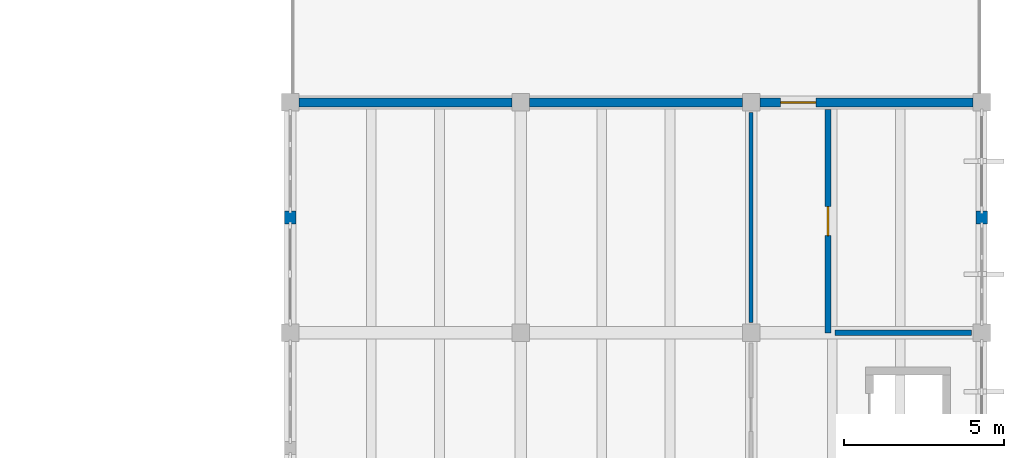
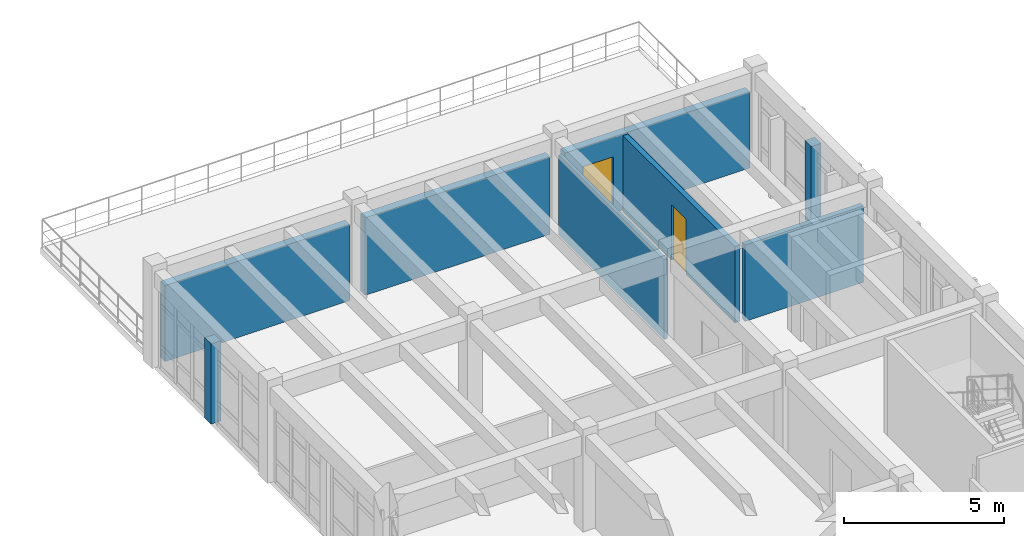
# One storey, part 17 of 22: 8 walls, 2 doors, 2 openings.
"""IFC4 building model written with IfcOpenShell, lengths in metres."""

from ifc_helpers import new_model, si_unit, direction, frame, frame_2d, origin, place, context, subcontext, project, spatial, rectangle, extrude, material, layer, layer_set, type_object, element, fill, save


model = new_model("IFC4")

# Units and contexts
model_context = context("Model", 3, precision=1e-05, world=origin(), true_north=direction((0.0, 1.0)))
body_context = subcontext(model_context, "Body", "Model", "MODEL_VIEW")
ifc_project = project(units=[si_unit("LENGTHUNIT", "METRE"), si_unit("AREAUNIT", "SQUARE_METRE"), si_unit("VOLUMEUNIT", "CUBIC_METRE"), si_unit("PLANEANGLEUNIT", "RADIAN"), si_unit("MASSUNIT", "GRAM", prefix="KILO")], contexts=[model_context])

# Site, building, storey
site_placement = place(None, origin())
site = spatial("IfcSite", under=ifc_project, at=site_placement, CompositionType="ELEMENT")
building_placement = place(site_placement, origin())
building = spatial("IfcBuilding", under=site, at=building_placement, Name="Koriwan Promenade Central Fire Station", CompositionType="ELEMENT")
storey_placement = place(building_placement, frame((0.0, 0.0, 17.39990234375)))
storey = spatial("IfcBuildingStorey", under=building, at=storey_placement, Name="L04", CompositionType="ELEMENT", Elevation=17.39990234375)

# Walls
ifc_material_1 = material(Name="Natural sillar sandstone ashlar", Category="masonry")
ifc_layer_1 = layer(ifc_material_1, 0.360107421875, Name="Natural sillar sandstone ashlar")
ifc_layer_set_1 = layer_set([ifc_layer_1], Name="Natural sillar sandstone ashlar")
wall_type_1 = type_object("IfcWallType", Name="ExtWall_SillarBase_360", PredefinedType="SOLIDWALL", material=ifc_layer_set_1)
wall_1_placement = place(storey_placement, frame((172.800048828125, 32.199951171875, 0.0), z_axis=(0.0, 0.0, 1.0), x_axis=(0.0, 1.0, 0.0)))
element("IfcWall", 1, at=wall_1_placement, inside=storey, type_object=wall_type_1, Name="V5 L04 sillar facade mullion pier 309", PredefinedType="SOLIDWALL", context=body_context, shape_type="SweptSolid", body=[
    extrude(rectangle(XDim=0.400146484375, YDim=0.360107421875, at=frame_2d((0.2001953125, 0.0))), origin(), (0.0, 0.0, 1.0), 3.0),
])
wall_2_placement = place(storey_placement, frame((151.199951171875, 32.60009765625, 0.0), z_axis=(0.0, 0.0, 1.0), x_axis=(0.0, -1.0, 0.0)))
element("IfcWall", 2, at=wall_2_placement, inside=storey, type_object=wall_type_1, Name="V5 L04 sillar facade mullion pier 313", PredefinedType="SOLIDWALL", context=body_context, shape_type="SweptSolid", body=[
    extrude(rectangle(XDim=0.400146484375, YDim=0.360107421875, at=frame_2d((0.2001953125, 0.0))), origin(), (0.0, 0.0, 1.0), 3.050048828125),
])

# Wall, opening, door
ifc_material_2 = material(Name="Precast concrete C40/50", Category="concrete")
ifc_layer_2 = layer(ifc_material_2, 0.280029296875, Name="Precast concrete C40/50")
ifc_layer_set_2 = layer_set([ifc_layer_2], Name="Precast concrete C40/50")
wall_type_2 = type_object("IfcWallType", Name="ExtWall_Terracotta_280", PredefinedType="ELEMENTEDWALL", material=ifc_layer_set_2)
wall_3_placement = place(storey_placement, frame((172.52490234375, 36.0, 0.0), z_axis=(0.0, 0.0, 1.0), x_axis=(-1.0, 0.0, 0.0)))
wall_3 = element("IfcWall", 3, at=wall_3_placement, inside=storey, type_object=wall_type_2, Name="V5 L04 exterior wall 310", PredefinedType="ELEMENTEDWALL", context=body_context, shape_type="SweptSolid", body=[
    extrude(rectangle(XDim=6.64990234375, YDim=0.280029296875, at=frame_2d((3.324951171875, 0.0))), origin(), (0.0, 0.0, 1.0), 2.900146484375),
])
opening_1_placement = place(wall_3_placement, frame((4.903076171875, 0.0, 0.0)))
opening_1 = element("IfcOpeningElement", 4, at=opening_1_placement, cuts=wall_3, Name="Opening TD-029", PredefinedType="OPENING", context=body_context, shape_type="SweptSolid", body=[
    extrude(rectangle(XDim=1.10009765625, YDim=2.14990234375, at=frame_2d((0.550048828125, 1.074951171875))), frame((0.0, 0.15185546875, 0.0), z_axis=(0.0, -1.0, 0.0), x_axis=(1.0, 0.0, 0.0)), (0.0, 0.0, 1.0), 0.303955078125),
])
ifc_material_3 = material(Name="Aluminium EN AW-6063-T6 and laminated safety glass", Category="aluminium")
door_type_1 = type_object("IfcDoorType", Name="TerraceDoor_1100x2150", OperationType="NOTDEFINED", PredefinedType="DOOR", material=ifc_material_3)
door_1_placement = place(opening_1_placement, frame((1.10009765625, 0.0, 0.0), z_axis=(0.0, 0.0, 1.0), x_axis=(-1.0, 0.0, 0.0)))
door_1 = element("IfcDoor", 5, at=door_1_placement, inside=storey, type_object=door_type_1, Name="V5 L04 Terrace Access Door TD-029", OperationType="SINGLE_SWING_LEFT", OverallHeight=2.14990234375, OverallWidth=1.10009765625, PredefinedType="DOOR", context=body_context, shape_type="SweptSolid", body=[
    extrude(rectangle(XDim=1.10009765625, YDim=2.14990234375, at=frame_2d((0.550048828125, 1.074951171875))), frame((0.0, 0.02490234375, 0.0), z_axis=(0.0, -1.0, 0.0), x_axis=(1.0, 0.0, 0.0)), (0.0, 0.0, 1.0), 0.050048828125),
])
fill(opening_1, door_1)

# Walls
wall_4_placement = place(storey_placement, frame((165.324951171875, 36.0, 0.0), z_axis=(0.0, 0.0, 1.0), x_axis=(-1.0, 0.0, 0.0)))
element("IfcWall", 6, at=wall_4_placement, inside=storey, type_object=wall_type_2, Name="V5 L04 exterior wall 311", PredefinedType="ELEMENTEDWALL", context=body_context, shape_type="SweptSolid", body=[
    extrude(rectangle(XDim=6.64990234375, YDim=0.280029296875, at=frame_2d((3.324951171875, 0.0))), origin(), (0.0, 0.0, 1.0), 2.9501953125),
])
wall_5_placement = place(storey_placement, frame((158.125, 36.0, 0.0), z_axis=(0.0, 0.0, 1.0), x_axis=(-1.0, 0.0, 0.0)))
element("IfcWall", 7, at=wall_5_placement, inside=storey, type_object=wall_type_2, Name="V5 L04 exterior wall 312", PredefinedType="ELEMENTEDWALL", context=body_context, shape_type="SweptSolid", body=[
    extrude(rectangle(XDim=6.64990234375, YDim=0.280029296875, at=frame_2d((3.324951171875, 0.0))), origin(), (0.0, 0.0, 1.0), 2.900146484375),
])
ifc_material_4 = material(Name="Gypsum board acoustic stud partition", Category="gypsum")
ifc_layer_3 = layer(ifc_material_4, 0.1201171875, Name="Gypsum board acoustic stud partition")
ifc_layer_set_3 = layer_set([ifc_layer_3], Name="Gypsum board acoustic stud partition")
wall_type_3 = type_object("IfcWallType", Name="IntWall_Drywall_120", PredefinedType="PARTITIONING", material=ifc_layer_set_3)
wall_6_placement = place(storey_placement, frame((165.60009765625, 29.114990234375, 0.0), z_axis=(0.0, 0.0, 1.0), x_axis=(0.0, 1.0, 0.0)))
element("IfcWall", 8, at=wall_6_placement, inside=storey, type_object=wall_type_3, Name="GIS Situational Mapping Studio partition E", PredefinedType="PARTITIONING", context=body_context, shape_type="SweptSolid", body=[
    extrude(rectangle(XDim=6.570068359375, YDim=0.1201171875, at=frame_2d((3.28515625, 0.0))), origin(), (0.0, 0.0, 1.0), 3.048095703125),
])

# Wall, opening, door
ifc_material_5 = material(Name="Moisture-resistant sanitary chase wall", Category="gypsum")
ifc_layer_4 = layer(ifc_material_5, 0.179931640625, Name="Moisture-resistant sanitary chase wall")
ifc_layer_set_4 = layer_set([ifc_layer_4], Name="Moisture-resistant sanitary chase wall")
wall_type_4 = type_object("IfcWallType", Name="IntWall_Plumbing_180", PredefinedType="PLUMBINGWALL", material=ifc_layer_set_4)
wall_7_placement = place(storey_placement, frame((168.0, 28.800048828125, 0.0), z_axis=(0.0, 0.0, 1.0), x_axis=(0.0, 1.0, 0.0)))
wall_7 = element("IfcWall", 9, at=wall_7_placement, inside=storey, type_object=wall_type_4, Name="Dispatch Floor Male Female and Accessible WCs partition W", PredefinedType="PLUMBINGWALL", context=body_context, shape_type="SweptSolid", body=[
    extrude(rectangle(XDim=6.97998046875, YDim=0.179931640625, at=frame_2d((3.489990234375, 0.0))), origin(), (0.0, 0.0, 1.0), 2.898193359375),
])
opening_2_placement = place(wall_7_placement, frame((3.0400390625, 0.0, 0.0)))
opening_2 = element("IfcOpeningElement", 10, at=opening_2_placement, cuts=wall_7, Name="Opening D-187", PredefinedType="OPENING", context=body_context, shape_type="SweptSolid", body=[
    extrude(rectangle(XDim=0.89990234375, YDim=2.10009765625, at=frame_2d((0.449951171875, 1.050048828125))), frame((0.0, 0.10205078125, 0.0), z_axis=(0.0, -1.0, 0.0), x_axis=(1.0, 0.0, 0.0)), (0.0, 0.0, 1.0), 0.203857421875),
])
ifc_material_6 = material(Name="High-pressure laminate moisture-resistant core", Category="wood")
door_type_2 = type_object("IfcDoorType", Name="RoomDoor_WC_900x2100", OperationType="NOTDEFINED", PredefinedType="DOOR", material=ifc_material_6)
door_2_placement = place(opening_2_placement, origin())
door_2 = element("IfcDoor", 11, at=door_2_placement, inside=storey, type_object=door_type_2, Name="Dispatch Floor Male Female and Accessible WCs Door D-187", OperationType="SINGLE_SWING_LEFT", OverallHeight=2.10009765625, OverallWidth=0.89990234375, PredefinedType="DOOR", context=body_context, shape_type="SweptSolid", body=[
    extrude(rectangle(XDim=0.89990234375, YDim=2.10009765625, at=frame_2d((0.449951171875, 1.050048828125))), frame((0.0, 0.02490234375, 0.0), z_axis=(0.0, -1.0, 0.0), x_axis=(1.0, 0.0, 0.0)), (0.0, 0.0, 1.0), 0.050048828125),
])
fill(opening_2, door_2)

# Wall
wall_8_placement = place(storey_placement, frame((168.219970703125, 28.800048828125, 0.0), z_axis=(0.0, 0.0, 1.0), x_axis=(1.0, 0.0, 0.0)))
element("IfcWall", 12, at=wall_8_placement, inside=storey, type_object=wall_type_4, Name="Dispatch Floor Male Female and Accessible WCs partition S", PredefinedType="PLUMBINGWALL", context=body_context, shape_type="SweptSolid", body=[
    extrude(rectangle(XDim=4.26513671875, YDim=0.179931640625, at=frame_2d((2.132568359375, 0.0))), origin(), (0.0, 0.0, 1.0), 2.908203125),
])

save(model, "model.ifc")
